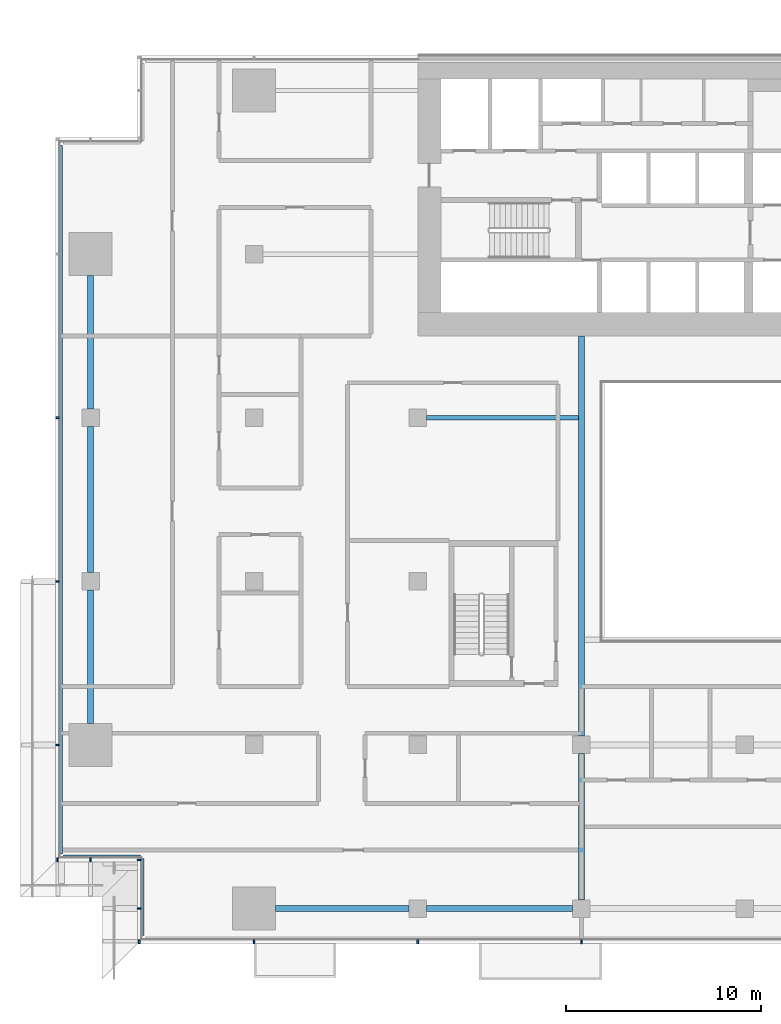
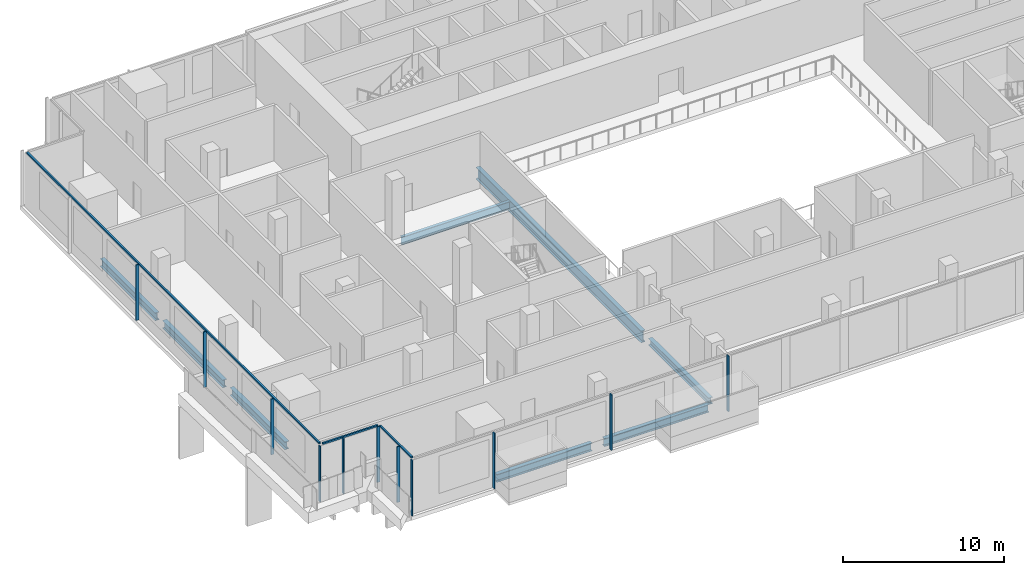
# One storey, part 2 of 23: 14 members, 8 beams, 4 elements without a shape of their own.
"""IFC4 building model written with IfcOpenShell, lengths in metres."""

from ifc_helpers import new_model, si_unit, direction, frame, origin, origin_2d, place, context, subcontext, project, spatial, rectangle, i_section, extrude, material, material_profile, profile_set, type_object, element, aggregate, save


model = new_model("IFC4")

# Units and contexts
model_context = context("Model", 3, precision=1e-05, world=origin(), true_north=direction((0.0, 1.0)))
body_context = subcontext(model_context, "Body", "Model", "MODEL_VIEW")
ifc_project = project(units=[si_unit("LENGTHUNIT", "METRE"), si_unit("AREAUNIT", "SQUARE_METRE"), si_unit("VOLUMEUNIT", "CUBIC_METRE"), si_unit("PLANEANGLEUNIT", "RADIAN"), si_unit("MASSUNIT", "GRAM", prefix="KILO")], contexts=[model_context])

# Site, building, storey
site_placement = place(None, origin())
site = spatial("IfcSite", under=ifc_project, at=site_placement, CompositionType="ELEMENT")
building_placement = place(site_placement, origin())
building = spatial("IfcBuilding", under=site, at=building_placement, Name="Saffron Gate Tower", CompositionType="ELEMENT")
storey_placement = place(building_placement, frame((0.0, 0.0, 32.699951171875)))
storey = spatial("IfcBuildingStorey", under=building, at=storey_placement, Name="L06", CompositionType="ELEMENT", Elevation=32.699951171875)

# Beams
ifc_material_1 = material(Name="Structural steel S355", Category="steel")
ifc_material_profile_1 = material_profile(ifc_material_1, i_section(OverallWidth=0.300048828125, OverallDepth=0.590087890625, WebThickness=0.012939453125, FlangeThickness=0.02490234375, FilletRadius=0.027099609375, at=origin_2d()))
ifc_profile_set_1 = profile_set([ifc_material_profile_1], Name="Structural steel S355")
beam_type_1 = type_object("IfcBeamType", Name="B14 HEA 600", PredefinedType="SPANDREL", material=ifc_profile_set_1)
beam_1_placement = place(storey_placement, frame((49.800048828125, 41.300048828125, -0.594970703125), z_axis=(0.0, 1.0, 0.0), x_axis=(-1.0, 0.0, 0.0)))
element("IfcBeam", 1, at=beam_1_placement, inside=storey, type_object=beam_type_1, Name="B14 SPANDREL BEAM", PredefinedType="SPANDREL", context=body_context, shape_type="SweptSolid", body=[
    extrude(i_section(OverallWidth=0.300048828125, OverallDepth=0.590087890625, WebThickness=0.012939453125, FlangeThickness=0.02490234375, FilletRadius=0.027099609375, at=origin_2d()), origin(), (0.0, 0.0, 1.0), 6.849853515625),
])
beam_2_placement = place(storey_placement, frame((49.800048828125, 49.050048828125, -0.594970703125), z_axis=(0.0, 1.0, 0.0), x_axis=(-1.0, 0.0, 0.0)))
element("IfcBeam", 2, at=beam_2_placement, inside=storey, type_object=beam_type_1, Name="B14 SPANDREL BEAM", PredefinedType="SPANDREL", context=body_context, shape_type="SweptSolid", body=[
    extrude(i_section(OverallWidth=0.300048828125, OverallDepth=0.590087890625, WebThickness=0.012939453125, FlangeThickness=0.02490234375, FilletRadius=0.027099609375, at=origin_2d()), origin(), (0.0, 0.0, 1.0), 7.5),
])
beam_3_placement = place(storey_placement, frame((49.800048828125, 57.449951171875, -0.594970703125), z_axis=(0.0, 1.0, 0.0), x_axis=(-1.0, 0.0, 0.0)))
element("IfcBeam", 3, at=beam_3_placement, inside=storey, type_object=beam_type_1, Name="B14 SPANDREL BEAM", PredefinedType="SPANDREL", context=body_context, shape_type="SweptSolid", body=[
    extrude(i_section(OverallWidth=0.300048828125, OverallDepth=0.590087890625, WebThickness=0.012939453125, FlangeThickness=0.02490234375, FilletRadius=0.027099609375, at=origin_2d()), origin(), (0.0, 0.0, 1.0), 6.85009765625),
])
beam_4_placement = place(storey_placement, frame((59.300048828125, 31.800048828125, -0.594970703125), z_axis=(1.0, 0.0, 0.0), x_axis=(0.0, 1.0, 0.0)))
element("IfcBeam", 4, at=beam_4_placement, inside=storey, type_object=beam_type_1, Name="B14 SPANDREL BEAM", PredefinedType="SPANDREL", context=body_context, shape_type="SweptSolid", body=[
    extrude(i_section(OverallWidth=0.300048828125, OverallDepth=0.590087890625, WebThickness=0.012939453125, FlangeThickness=0.02490234375, FilletRadius=0.027099609375, at=origin_2d()), origin(), (0.0, 0.0, 1.0), 6.849853515625),
])
beam_5_placement = place(storey_placement, frame((67.050048828125, 31.800048828125, -0.594970703125), z_axis=(1.0, 0.0, 0.0), x_axis=(0.0, 1.0, 0.0)))
element("IfcBeam", 5, at=beam_5_placement, inside=storey, type_object=beam_type_1, Name="B14 SPANDREL BEAM", PredefinedType="SPANDREL", context=body_context, shape_type="SweptSolid", body=[
    extrude(i_section(OverallWidth=0.300048828125, OverallDepth=0.590087890625, WebThickness=0.012939453125, FlangeThickness=0.02490234375, FilletRadius=0.027099609375, at=origin_2d()), origin(), (0.0, 0.0, 1.0), 7.5),
])
ifc_material_profile_2 = material_profile(ifc_material_1, i_section(OverallWidth=0.219970703125, OverallDepth=0.60009765625, WebThickness=0.011962890625, FlangeThickness=0.01904296875, FilletRadius=0.02392578125, at=origin_2d()))
ifc_profile_set_2 = profile_set([ifc_material_profile_2], Name="Structural steel S355")
beam_type_2 = type_object("IfcBeamType", Name="B15 IPE 600", PredefinedType="BEAM", material=ifc_profile_set_2)
beam_6_placement = place(storey_placement, frame((67.050048828125, 57.0, -0.599853515625), z_axis=(1.0, 0.0, 0.0), x_axis=(0.0, 1.0, 0.0)))
element("IfcBeam", 6, at=beam_6_placement, inside=storey, type_object=beam_type_2, Name="B15 CORE TIE BEAM", PredefinedType="BEAM", context=body_context, shape_type="SweptSolid", body=[
    extrude(i_section(OverallWidth=0.219970703125, OverallDepth=0.60009765625, WebThickness=0.011962890625, FlangeThickness=0.01904296875, FilletRadius=0.02392578125, at=origin_2d()), origin(), (0.0, 0.0, 1.0), 7.800048828125),
])
ifc_material_profile_3 = material_profile(ifc_material_1, i_section(OverallWidth=0.300048828125, OverallDepth=0.89990234375, WebThickness=0.0185546875, FlangeThickness=0.034912109375, FilletRadius=0.030029296875, at=origin_2d()))
ifc_profile_set_3 = profile_set([ifc_material_profile_3], Name="Structural steel S355")
beam_type_3 = type_object("IfcBeamType", Name="B20 HEB 900", PredefinedType="BEAM", material=ifc_profile_set_3)
beam_7_placement = place(storey_placement, frame((75.0, 40.64990234375, -0.75), z_axis=(0.0, 1.0, 0.0), x_axis=(-1.0, 0.0, 0.0)))
element("IfcBeam", 7, at=beam_7_placement, inside=storey, type_object=beam_type_3, Name="B20 ATRIUM GIRDER", PredefinedType="BEAM", context=body_context, shape_type="SweptSolid", body=[
    extrude(i_section(OverallWidth=0.300048828125, OverallDepth=0.89990234375, WebThickness=0.0185546875, FlangeThickness=0.034912109375, FilletRadius=0.030029296875, at=origin_2d()), origin(), (0.0, 0.0, 1.0), 20.550048828125),
])
ifc_material_profile_4 = material_profile(ifc_material_1, i_section(OverallWidth=0.300048828125, OverallDepth=0.5, WebThickness=0.014404296875, FlangeThickness=0.028076171875, FilletRadius=0.027099609375, at=origin_2d()))
ifc_profile_set_4 = profile_set([ifc_material_profile_4], Name="Structural steel S355")
beam_type_4 = type_object("IfcBeamType", Name="B9 HEB 500", PredefinedType="BEAM", material=ifc_profile_set_4)
beam_8_placement = place(storey_placement, frame((75.0, 32.25, -0.550048828125), z_axis=(0.0, 1.0, 0.0), x_axis=(-1.0, 0.0, 0.0)))
element("IfcBeam", 8, at=beam_8_placement, inside=storey, type_object=beam_type_4, Name="B9 FLOOR GIRDER", PredefinedType="BEAM", context=body_context, shape_type="SweptSolid", body=[
    extrude(i_section(OverallWidth=0.300048828125, OverallDepth=0.5, WebThickness=0.014404296875, FlangeThickness=0.028076171875, FilletRadius=0.027099609375, at=origin_2d()), origin(), (0.0, 0.0, 1.0), 7.5),
])

# Curtain wall, member
ifc_material_2 = material(Name="Aluminium, bronze anodised", Category="aluminium")
curtain_wall_type = type_object("IfcCurtainWallType", Name="CWS6 curtain wall tall storeys", PredefinedType="NOTDEFINED", material=ifc_material_2)
curtain_wall_1_placement = place(storey_placement, origin())
curtain_wall_1 = element("IfcCurtainWall", 9, at=curtain_wall_1_placement, inside=storey, type_object=curtain_wall_type, Name="CWS6 run 10", PredefinedType="NOTDEFINED")
ifc_material_profile_5 = material_profile(ifc_material_2, rectangle(XDim=0.1201171875, YDim=0.1201171875, at=origin_2d()))
ifc_profile_set_5 = profile_set([ifc_material_profile_5], Name="Aluminium, bronze anodised")
member_type_1 = type_object("IfcMemberType", Name="CWS6 head transom", PredefinedType="USERDEFINED", material=ifc_profile_set_5)
member_1_placement = place(storey_placement, frame((48.2880859375, 70.991943359375, 4.16015625), z_axis=(0.0, -1.0, 0.0), x_axis=(1.0, 0.0, 0.0)))
member_1 = element("IfcMember", 10, at=member_1_placement, type_object=member_type_1, Name="CWS6 head transom", ObjectType="TRANSOM", PredefinedType="USERDEFINED", context=body_context, shape_type="SweptSolid", body=[
    extrude(rectangle(XDim=0.1201171875, YDim=0.1201171875, at=origin_2d()), origin(), (0.0, 0.0, 1.0), 36.384033203125),
])

curtain_wall_2_placement = place(storey_placement, origin())
curtain_wall_2 = element("IfcCurtainWall", 11, at=curtain_wall_2_placement, inside=storey, type_object=curtain_wall_type, Name="CWS6 run 11", PredefinedType="NOTDEFINED")
member_2_placement = place(storey_placement, frame((48.407958984375, 34.488037109375, 4.16015625), z_axis=(1.0, 0.0, 0.0), x_axis=(0.0, 1.0, 0.0)))
member_2 = element("IfcMember", 12, at=member_2_placement, type_object=member_type_1, Name="CWS6 head transom", ObjectType="TRANSOM", PredefinedType="USERDEFINED", context=body_context, shape_type="SweptSolid", body=[
    extrude(rectangle(XDim=0.1201171875, YDim=0.1201171875, at=origin_2d()), origin(), (0.0, 0.0, 1.0), 3.9599609375),
])

curtain_wall_3_placement = place(storey_placement, origin())
curtain_wall_3 = element("IfcCurtainWall", 13, at=curtain_wall_3_placement, inside=storey, type_object=curtain_wall_type, Name="CWS6 run 12", PredefinedType="NOTDEFINED")
member_3_placement = place(storey_placement, frame((52.488037109375, 34.367919921875, 4.16015625), z_axis=(0.0, -1.0, 0.0), x_axis=(1.0, 0.0, 0.0)))
member_3 = element("IfcMember", 14, at=member_3_placement, type_object=member_type_1, Name="CWS6 head transom", ObjectType="TRANSOM", PredefinedType="USERDEFINED", context=body_context, shape_type="SweptSolid", body=[
    extrude(rectangle(XDim=0.1201171875, YDim=0.1201171875, at=origin_2d()), origin(), (0.0, 0.0, 1.0), 3.9599609375),
])

# Curtain wall, members
curtain_wall_4_placement = place(storey_placement, origin())
curtain_wall_4 = element("IfcCurtainWall", 15, at=curtain_wall_4_placement, inside=storey, type_object=curtain_wall_type, Name="CWS6 run 1", PredefinedType="NOTDEFINED")
ifc_material_profile_6 = material_profile(ifc_material_2, rectangle(XDim=0.199951171875, YDim=0.080078125, at=origin_2d()))
ifc_profile_set_6 = profile_set([ifc_material_profile_6], Name="Aluminium, bronze anodised")
member_type_2 = type_object("IfcMemberType", Name="CWS6 mullion 80x200", PredefinedType="MULLION", material=ifc_profile_set_6)
member_4_placement = place(storey_placement, frame((52.300048828125, 30.10009765625, 0.0), z_axis=(0.0, 0.0, 1.0), x_axis=(0.0, 1.0, 0.0)))
member_4 = element("IfcMember", 16, at=member_4_placement, type_object=member_type_2, Name="CWS6 mullion 1", PredefinedType="MULLION", context=body_context, shape_type="SweptSolid", body=[
    extrude(rectangle(XDim=0.199951171875, YDim=0.080078125, at=origin_2d()), origin(), (0.0, 0.0, 1.0), 4.219970703125),
])
member_5_placement = place(storey_placement, frame((58.199951171875, 30.10009765625, 0.0), z_axis=(0.0, 0.0, 1.0), x_axis=(0.0, 1.0, 0.0)))
member_5 = element("IfcMember", 17, at=member_5_placement, type_object=member_type_2, Name="CWS6 mullion 2", PredefinedType="MULLION", context=body_context, shape_type="SweptSolid", body=[
    extrude(rectangle(XDim=0.199951171875, YDim=0.080078125, at=origin_2d()), origin(), (0.0, 0.0, 1.0), 4.219970703125),
])
member_6_placement = place(storey_placement, frame((66.60009765625, 30.10009765625, 0.0), z_axis=(0.0, 0.0, 1.0), x_axis=(0.0, 1.0, 0.0)))
member_6 = element("IfcMember", 18, at=member_6_placement, type_object=member_type_2, Name="CWS6 mullion 3", PredefinedType="MULLION", context=body_context, shape_type="SweptSolid", body=[
    extrude(rectangle(XDim=0.199951171875, YDim=0.080078125, at=origin_2d()), origin(), (0.0, 0.0, 1.0), 4.219970703125),
])
member_7_placement = place(storey_placement, frame((75.0, 30.10009765625, 0.0), z_axis=(0.0, 0.0, 1.0), x_axis=(0.0, 1.0, 0.0)))
member_7 = element("IfcMember", 19, at=member_7_placement, type_object=member_type_2, Name="CWS6 mullion 4", PredefinedType="MULLION", context=body_context, shape_type="SweptSolid", body=[
    extrude(rectangle(XDim=0.199951171875, YDim=0.080078125, at=origin_2d()), origin(), (0.0, 0.0, 1.0), 4.219970703125),
])
aggregate(curtain_wall_4, [member_4, member_5, member_6, member_7])

# Member
member_8_placement = place(storey_placement, frame((48.10009765625, 57.0, 0.0), z_axis=(0.0, 0.0, 1.0), x_axis=(1.0, 0.0, 0.0)))
member_8 = element("IfcMember", 20, at=member_8_placement, type_object=member_type_2, Name="CWS6 mullion 3", PredefinedType="MULLION", context=body_context, shape_type="SweptSolid", body=[
    extrude(rectangle(XDim=0.199951171875, YDim=0.080078125, at=origin_2d()), origin(), (0.0, 0.0, 1.0), 4.219970703125),
])

member_9_placement = place(storey_placement, frame((48.10009765625, 48.60009765625, 0.0), z_axis=(0.0, 0.0, 1.0), x_axis=(1.0, 0.0, 0.0)))
member_9 = element("IfcMember", 21, at=member_9_placement, type_object=member_type_2, Name="CWS6 mullion 4", PredefinedType="MULLION", context=body_context, shape_type="SweptSolid", body=[
    extrude(rectangle(XDim=0.199951171875, YDim=0.080078125, at=origin_2d()), origin(), (0.0, 0.0, 1.0), 4.219970703125),
])

member_10_placement = place(storey_placement, frame((48.10009765625, 40.199951171875, 0.0), z_axis=(0.0, 0.0, 1.0), x_axis=(1.0, 0.0, 0.0)))
member_10 = element("IfcMember", 22, at=member_10_placement, type_object=member_type_2, Name="CWS6 mullion 5", PredefinedType="MULLION", context=body_context, shape_type="SweptSolid", body=[
    extrude(rectangle(XDim=0.199951171875, YDim=0.080078125, at=origin_2d()), origin(), (0.0, 0.0, 1.0), 4.219970703125),
])

aggregate(curtain_wall_1, [member_8, member_9, member_10, member_1])

member_11_placement = place(storey_placement, frame((48.10009765625, 34.300048828125, 0.0), z_axis=(0.0, 0.0, 1.0), x_axis=(0.0, 1.0, 0.0)))
member_11 = element("IfcMember", 23, at=member_11_placement, type_object=member_type_2, Name="CWS6 mullion 1", PredefinedType="MULLION", context=body_context, shape_type="SweptSolid", body=[
    extrude(rectangle(XDim=0.199951171875, YDim=0.080078125, at=origin_2d()), origin(), (0.0, 0.0, 1.0), 4.219970703125),
])

member_12_placement = place(storey_placement, frame((49.800048828125, 34.300048828125, 0.0), z_axis=(0.0, 0.0, 1.0), x_axis=(0.0, 1.0, 0.0)))
member_12 = element("IfcMember", 24, at=member_12_placement, type_object=member_type_2, Name="CWS6 mullion 2", PredefinedType="MULLION", context=body_context, shape_type="SweptSolid", body=[
    extrude(rectangle(XDim=0.199951171875, YDim=0.080078125, at=origin_2d()), origin(), (0.0, 0.0, 1.0), 4.219970703125),
])

aggregate(curtain_wall_2, [member_11, member_12, member_2])

member_13_placement = place(storey_placement, frame((52.300048828125, 34.300048828125, 0.0), z_axis=(0.0, 0.0, 1.0), x_axis=(1.0, 0.0, 0.0)))
member_13 = element("IfcMember", 25, at=member_13_placement, type_object=member_type_2, Name="CWS6 mullion 1", PredefinedType="MULLION", context=body_context, shape_type="SweptSolid", body=[
    extrude(rectangle(XDim=0.199951171875, YDim=0.080078125, at=origin_2d()), origin(), (0.0, 0.0, 1.0), 4.219970703125),
])

member_14_placement = place(storey_placement, frame((52.300048828125, 31.800048828125, 0.0), z_axis=(0.0, 0.0, 1.0), x_axis=(1.0, 0.0, 0.0)))
member_14 = element("IfcMember", 26, at=member_14_placement, type_object=member_type_2, Name="CWS6 mullion 2", PredefinedType="MULLION", context=body_context, shape_type="SweptSolid", body=[
    extrude(rectangle(XDim=0.199951171875, YDim=0.080078125, at=origin_2d()), origin(), (0.0, 0.0, 1.0), 4.219970703125),
])

aggregate(curtain_wall_3, [member_13, member_14, member_3])

save(model, "model.ifc")
